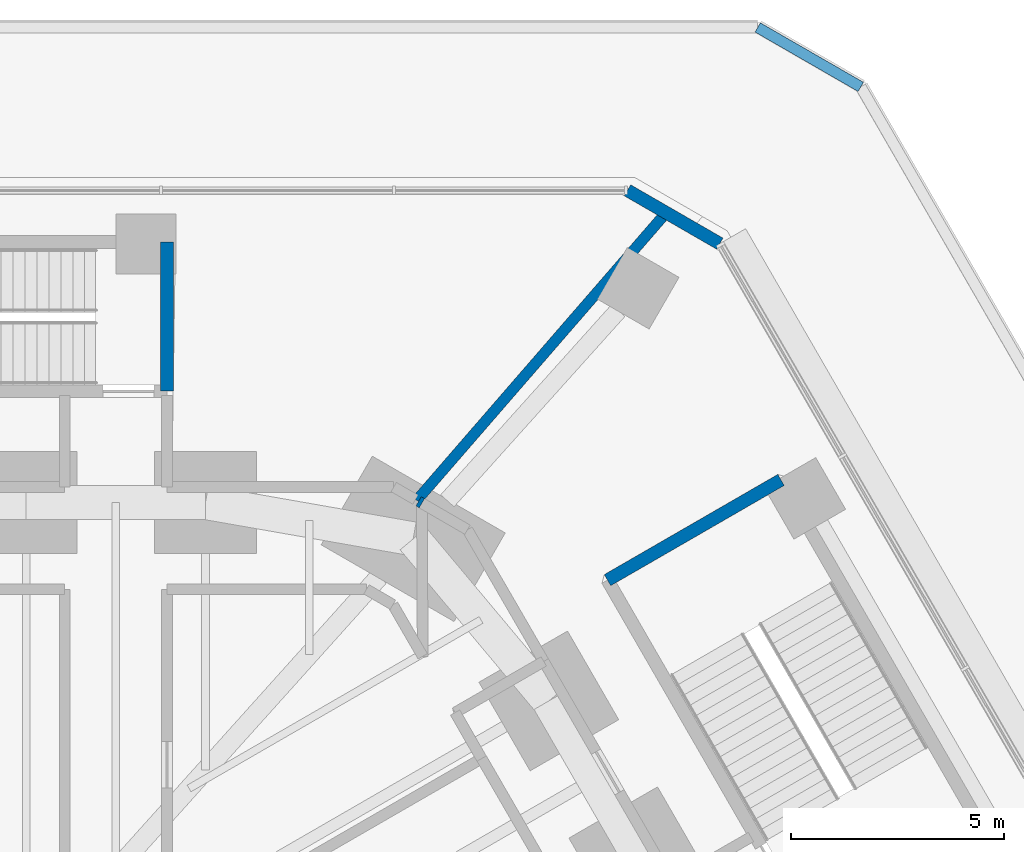
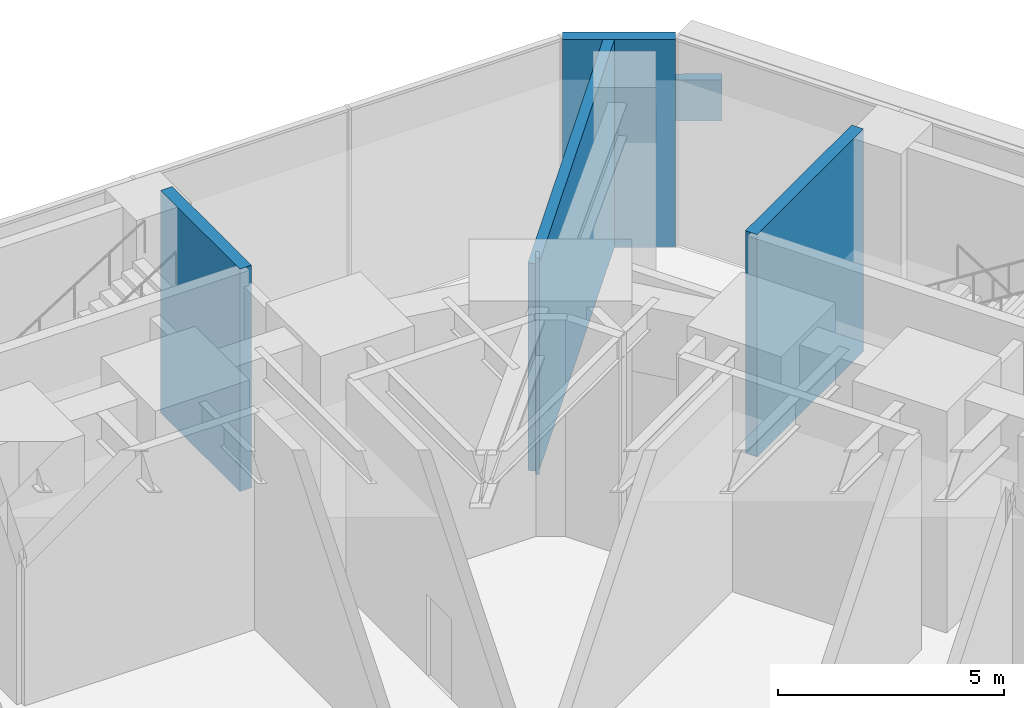
# One storey, part 19 of 24: 6 walls.
"""IFC4 building model written with IfcOpenShell, lengths in metres."""

from ifc_helpers import new_model, si_unit, direction, frame, frame_2d, origin, place, context, subcontext, project, spatial, rectangle, extrude, material, layer, layer_set, type_object, element, save


model = new_model("IFC4")

# Units and contexts
model_context = context("Model", 3, precision=1e-05, world=origin(), true_north=direction((0.0, 1.0)))
body_context = subcontext(model_context, "Body", "Model", "MODEL_VIEW")
ifc_project = project(units=[si_unit("LENGTHUNIT", "METRE"), si_unit("AREAUNIT", "SQUARE_METRE"), si_unit("VOLUMEUNIT", "CUBIC_METRE"), si_unit("PLANEANGLEUNIT", "RADIAN"), si_unit("MASSUNIT", "GRAM", prefix="KILO")], contexts=[model_context])

# Site, building, storey
site_placement = place(None, origin())
site = spatial("IfcSite", under=ifc_project, at=site_placement, CompositionType="ELEMENT")
building_placement = place(site_placement, origin())
building = spatial("IfcBuilding", under=site, at=building_placement, Name="Sandreach Pilgrim Tower", CompositionType="ELEMENT")
storey_placement = place(building_placement, frame((0.0, 0.0, 12.0)))
storey = spatial("IfcBuildingStorey", under=building, at=storey_placement, Name="L02", CompositionType="ELEMENT", Elevation=12.0)

# Walls
ifc_material_1 = material(Name="Acoustic gypsum board wall, double frame", Category="gypsum")
ifc_layer_1 = layer(ifc_material_1, 0.25)
ifc_layer_set_1 = layer_set([ifc_layer_1], Name="Hall partition 250")
wall_type_1 = type_object("IfcWallType", Name="Hall partition 250", PredefinedType="PARTITIONING", material=ifc_layer_set_1)
wall_1_placement = place(storey_placement, frame((19.733154296875, 22.71484375, 0.0), z_axis=(0.0, 0.0, 1.0), x_axis=(0.866550582058, -0.499089259287, 0.0)))
element("IfcWall", 1, at=wall_1_placement, inside=storey, type_object=wall_type_1, Name="Hall partition L02-109", PredefinedType="PARTITIONING", context=body_context, shape_type="SweptSolid", body=[
    extrude(rectangle(XDim=0.089111328125, YDim=0.25, at=frame_2d((0.04443359375, 0.0))), origin(), (0.0, 0.0, 1.0), 5.840087890625),
])
wall_2_placement = place(storey_placement, frame((25.55029296875, 29.497314453125, 0.0), z_axis=(0.0, 0.0, 1.0), x_axis=(-0.655186130594, -0.755467493859, 0.0)))
element("IfcWall", 2, at=wall_2_placement, inside=storey, type_object=wall_type_1, Name="Hall partition L02-120", PredefinedType="PARTITIONING", context=body_context, shape_type="SweptSolid", body=[
    extrude(rectangle(XDim=8.944580078125, YDim=0.25, at=frame_2d((4.47216796875, 0.0))), origin(), (0.0, 0.0, 1.0), 5.60009765625),
])
ifc_material_2 = material(Name="Concrete 8000 psi", Category="concrete")
ifc_layer_2 = layer(ifc_material_2, 0.300048828125)
ifc_layer_set_2 = layer_set([ifc_layer_2], Name="Podium stair enclosure 300")
wall_type_2 = type_object("IfcWallType", Name="Podium stair enclosure 300", PredefinedType="SHEAR", material=ifc_layer_set_2)
wall_3_placement = place(storey_placement, frame((24.164794921875, 20.866943359375, 0.0), z_axis=(0.0, 0.0, 1.0), x_axis=(0.866016039709, 0.500016218704, 0.0)))
element("IfcWall", 3, at=wall_3_placement, inside=storey, type_object=wall_type_2, Name="Stair ST4 enclosure L02 2", PredefinedType="SHEAR", context=body_context, shape_type="SweptSolid", body=[
    extrude(rectangle(XDim=4.699951171875, YDim=0.300048828125, at=frame_2d((2.35009765625, 0.0))), origin(), (0.0, 0.0, 1.0), 6.0),
])
wall_4_placement = place(storey_placement, frame((13.829833984375, 28.798828125, 0.0), z_axis=(0.0, 0.0, 1.0), x_axis=(0.0, -1.0, 0.0)))
element("IfcWall", 4, at=wall_4_placement, inside=storey, type_object=wall_type_2, Name="Stair ST7 enclosure L02 4", PredefinedType="SHEAR", context=body_context, shape_type="SweptSolid", body=[
    extrude(rectangle(XDim=3.5, YDim=0.300048828125, at=frame_2d((1.75, 0.0))), origin(), (0.0, 0.0, 1.0), 6.0),
])
ifc_material_3 = material(Name="Concrete parapet with terracotta coping", Category="masonry")
ifc_layer_3 = layer(ifc_material_3, 0.25)
ifc_layer_set_3 = layer_set([ifc_layer_3], Name="Setback parapet")
wall_type_3 = type_object("IfcWallType", Name="Setback parapet", PredefinedType="PARAPET", material=ifc_layer_set_3)
wall_5_placement = place(storey_placement, frame((30.106201171875, 32.438232421875, 0.0), z_axis=(0.0, 0.0, 1.0), x_axis=(-0.866347205216, 0.499442208884, 0.0)))
element("IfcWall", 5, at=wall_5_placement, inside=storey, type_object=wall_type_3, Name="Setback parapet L02 11", PredefinedType="PARAPET", context=body_context, shape_type="SweptSolid", body=[
    extrude(rectangle(XDim=2.790771484375, YDim=0.25, at=frame_2d((1.3955078125, 0.0))), origin(), (0.0, 0.0, 1.0), 1.10009765625),
])
ifc_material_4 = material(Name="Terracotta rainscreen on concrete", Category="masonry")
ifc_layer_4 = layer(ifc_material_4, 0.300048828125)
ifc_layer_set_4 = layer_set([ifc_layer_4], Name="Terracotta chamfer pier")
wall_type_4 = type_object("IfcWallType", Name="Terracotta chamfer pier", PredefinedType="SOLIDWALL", material=ifc_layer_set_4)
wall_6_placement = place(storey_placement, frame((24.63330078125, 30.010986328125, 0.0), z_axis=(0.0, 0.0, 1.0), x_axis=(0.866047370643, -0.499961950354, 0.0)))
element("IfcWall", 6, at=wall_6_placement, inside=storey, type_object=wall_type_4, Name="Chamfer pier L02 N", PredefinedType="SOLIDWALL", context=body_context, shape_type="SweptSolid", body=[
    extrude(rectangle(XDim=2.500244140625, YDim=0.300048828125, at=frame_2d((1.25, 0.0))), origin(), (0.0, 0.0, 1.0), 5.60009765625),
])

save(model, "model.ifc")
